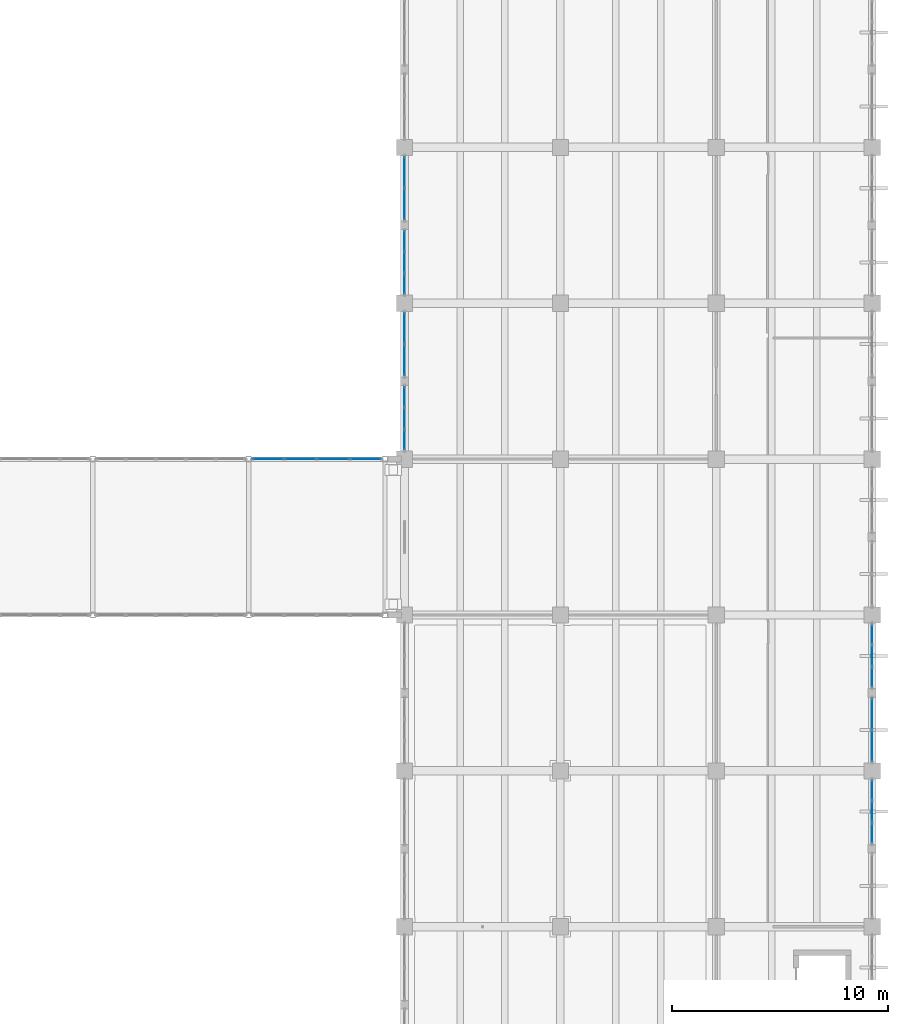
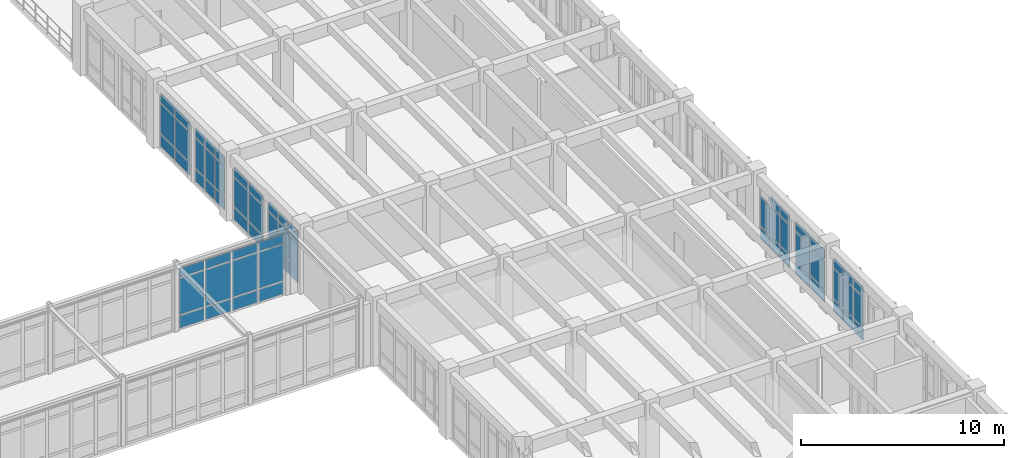
# One storey, part 91 of 136: 65 plates, 8 elements without a shape of their own.
"""IFC4 building model written with IfcOpenShell, lengths in metres."""

from ifc_helpers import new_model, si_unit, direction, frame, origin, origin_2d, place, context, subcontext, project, spatial, rectangle, extrude, material, layer, layer_set, type_object, element, aggregate, save


model = new_model("IFC4")

# Units and contexts
model_context = context("Model", 3, precision=1e-05, world=origin(), true_north=direction((0.0, 1.0)))
body_context = subcontext(model_context, "Body", "Model", "MODEL_VIEW")
ifc_project = project(units=[si_unit("LENGTHUNIT", "METRE"), si_unit("AREAUNIT", "SQUARE_METRE"), si_unit("VOLUMEUNIT", "CUBIC_METRE"), si_unit("PLANEANGLEUNIT", "RADIAN"), si_unit("MASSUNIT", "GRAM", prefix="KILO")], contexts=[model_context])

# Site, building, storey
site_placement = place(None, origin())
site = spatial("IfcSite", under=ifc_project, at=site_placement, CompositionType="ELEMENT")
building_placement = place(site_placement, origin())
building = spatial("IfcBuilding", under=site, at=building_placement, Name="Koriwan Promenade Central Fire Station", CompositionType="ELEMENT")
storey_placement = place(building_placement, frame((0.0, 0.0, 5.39990234375)))
storey = spatial("IfcBuildingStorey", under=building, at=storey_placement, Name="L01", CompositionType="ELEMENT", Elevation=5.39990234375)

# Curtain wall, plates
ifc_material_1 = material(Name="Aluminium EN AW-6063-T6 and low-E glazing", Category="aluminium")
ifc_layer_1 = layer(ifc_material_1, 0.159912109375, Name="Aluminium EN AW-6063-T6 and low-E glazing")
ifc_layer_set_1 = layer_set([ifc_layer_1], Name="Aluminium EN AW-6063-T6 and low-E glazing")
curtain_wall_type_1 = type_object("IfcCurtainWallType", Name="CurtainWall_62_302x329", PredefinedType="USERDEFINED", material=ifc_layer_set_1)
curtain_wall_1_placement = place(storey_placement, origin())
curtain_wall_1 = element("IfcCurtainWall", 1, at=curtain_wall_1_placement, inside=storey, type_object=curtain_wall_type_1, Name="V5 L01 unitised curtain wall 183", ObjectType="UNITISED CURTAIN WALL", PredefinedType="USERDEFINED")
ifc_material_2 = material(Name="Solar-control low-E acoustic glazing", Category="glass")
ifc_layer_2 = layer(ifc_material_2, 0.031982421875, Name="Solar-control low-E acoustic glazing")
ifc_layer_set_2 = layer_set([ifc_layer_2], Name="Solar-control low-E acoustic glazing")
plate_type = type_object("IfcPlateType", Name="CWPanel_32", PredefinedType="CURTAIN_PANEL", material=ifc_layer_set_2)
plate_1_placement = place(storey_placement, frame((151.199951171875, 51.2978515625, 0.0751953125), z_axis=(0.0, 0.0, 1.0), x_axis=(0.0, 1.0, 0.0)))
plate_1 = element("IfcPlate", 2, at=plate_1_placement, type_object=plate_type, Name="CW-62 panel 1.1", PredefinedType="CURTAIN_PANEL", context=body_context, shape_type="SweptSolid", body=[
    extrude(rectangle(XDim=0.895751953125, YDim=0.031982421875, at=origin_2d()), origin(), (0.0, 0.0, 1.0), 0.737548828125),
])
plate_2_placement = place(storey_placement, frame((151.199951171875, 51.2978515625, 0.8876953125), z_axis=(0.0, 0.0, 1.0), x_axis=(0.0, 1.0, 0.0)))
plate_2 = element("IfcPlate", 3, at=plate_2_placement, type_object=plate_type, Name="CW-62 panel 1.2", PredefinedType="CURTAIN_PANEL", context=body_context, shape_type="SweptSolid", body=[
    extrude(rectangle(XDim=0.895751953125, YDim=0.031982421875, at=origin_2d()), origin(), (0.0, 0.0, 1.0), 1.715087890625),
])
plate_3_placement = place(storey_placement, frame((151.199951171875, 51.2978515625, 2.677490234375), z_axis=(0.0, 0.0, 1.0), x_axis=(0.0, 1.0, 0.0)))
plate_3 = element("IfcPlate", 4, at=plate_3_placement, type_object=plate_type, Name="CW-62 panel 1.3", PredefinedType="CURTAIN_PANEL", context=body_context, shape_type="SweptSolid", body=[
    extrude(rectangle(XDim=0.895751953125, YDim=0.031982421875, at=origin_2d()), origin(), (0.0, 0.0, 1.0), 0.53759765625),
])
plate_4_placement = place(storey_placement, frame((151.199951171875, 52.28759765625, 0.0751953125), z_axis=(0.0, 0.0, 1.0), x_axis=(0.0, 1.0, 0.0)))
plate_4 = element("IfcPlate", 5, at=plate_4_placement, type_object=plate_type, Name="CW-62 panel 2.1", PredefinedType="CURTAIN_PANEL", context=body_context, shape_type="SweptSolid", body=[
    extrude(rectangle(XDim=0.933349609375, YDim=0.031982421875, at=origin_2d()), origin(), (0.0, 0.0, 1.0), 0.737548828125),
])
plate_5_placement = place(storey_placement, frame((151.199951171875, 52.28759765625, 0.8876953125), z_axis=(0.0, 0.0, 1.0), x_axis=(0.0, 1.0, 0.0)))
plate_5 = element("IfcPlate", 6, at=plate_5_placement, type_object=plate_type, Name="CW-62 panel 2.2", PredefinedType="CURTAIN_PANEL", context=body_context, shape_type="SweptSolid", body=[
    extrude(rectangle(XDim=0.933349609375, YDim=0.031982421875, at=origin_2d()), origin(), (0.0, 0.0, 1.0), 1.715087890625),
])
plate_6_placement = place(storey_placement, frame((151.199951171875, 52.28759765625, 2.677490234375), z_axis=(0.0, 0.0, 1.0), x_axis=(0.0, 1.0, 0.0)))
plate_6 = element("IfcPlate", 7, at=plate_6_placement, type_object=plate_type, Name="CW-62 panel 2.3", PredefinedType="CURTAIN_PANEL", context=body_context, shape_type="SweptSolid", body=[
    extrude(rectangle(XDim=0.933349609375, YDim=0.031982421875, at=origin_2d()), origin(), (0.0, 0.0, 1.0), 0.53759765625),
])
plate_7_placement = place(storey_placement, frame((151.199951171875, 53.277099609375, 0.0751953125), z_axis=(0.0, 0.0, 1.0), x_axis=(0.0, 1.0, 0.0)))
plate_7 = element("IfcPlate", 8, at=plate_7_placement, type_object=plate_type, Name="CW-62 panel 3.1", PredefinedType="CURTAIN_PANEL", context=body_context, shape_type="SweptSolid", body=[
    extrude(rectangle(XDim=0.895751953125, YDim=0.031982421875, at=origin_2d()), origin(), (0.0, 0.0, 1.0), 0.737548828125),
])
plate_8_placement = place(storey_placement, frame((151.199951171875, 53.277099609375, 0.8876953125), z_axis=(0.0, 0.0, 1.0), x_axis=(0.0, 1.0, 0.0)))
plate_8 = element("IfcPlate", 9, at=plate_8_placement, type_object=plate_type, Name="CW-62 panel 3.2", PredefinedType="CURTAIN_PANEL", context=body_context, shape_type="SweptSolid", body=[
    extrude(rectangle(XDim=0.895751953125, YDim=0.031982421875, at=origin_2d()), origin(), (0.0, 0.0, 1.0), 1.715087890625),
])
plate_9_placement = place(storey_placement, frame((151.199951171875, 53.277099609375, 2.677490234375), z_axis=(0.0, 0.0, 1.0), x_axis=(0.0, 1.0, 0.0)))
plate_9 = element("IfcPlate", 10, at=plate_9_placement, type_object=plate_type, Name="CW-62 panel 3.3", PredefinedType="CURTAIN_PANEL", context=body_context, shape_type="SweptSolid", body=[
    extrude(rectangle(XDim=0.895751953125, YDim=0.031982421875, at=origin_2d()), origin(), (0.0, 0.0, 1.0), 0.53759765625),
])
aggregate(curtain_wall_1, [plate_1, plate_2, plate_3, plate_4, plate_5, plate_6, plate_7, plate_8, plate_9])

ifc_layer_3 = layer(ifc_material_1, 0.159912109375, Name="Aluminium EN AW-6063-T6 and low-E glazing")
ifc_layer_set_3 = layer_set([ifc_layer_3], Name="Aluminium EN AW-6063-T6 and low-E glazing")
curtain_wall_type_2 = type_object("IfcCurtainWallType", Name="CurtainWall_07_302x329", PredefinedType="USERDEFINED", material=ifc_layer_set_3)
curtain_wall_2_placement = place(storey_placement, origin())
curtain_wall_2 = element("IfcCurtainWall", 11, at=curtain_wall_2_placement, inside=storey, type_object=curtain_wall_type_2, Name="V5 L01 unitised curtain wall 184", ObjectType="UNITISED CURTAIN WALL", PredefinedType="USERDEFINED")
plate_10_placement = place(storey_placement, frame((151.199951171875, 54.97509765625, 0.0751953125), z_axis=(0.0, 0.0, 1.0), x_axis=(0.0, 1.0, 0.0)))
plate_10 = element("IfcPlate", 12, at=plate_10_placement, type_object=plate_type, Name="CW-07 panel 1.1", PredefinedType="CURTAIN_PANEL", context=body_context, shape_type="SweptSolid", body=[
    extrude(rectangle(XDim=1.39990234375, YDim=0.031982421875, at=origin_2d()), origin(), (0.0, 0.0, 1.0), 0.737548828125),
])
plate_11_placement = place(storey_placement, frame((151.199951171875, 54.97509765625, 0.8876953125), z_axis=(0.0, 0.0, 1.0), x_axis=(0.0, 1.0, 0.0)))
plate_11 = element("IfcPlate", 13, at=plate_11_placement, type_object=plate_type, Name="CW-07 panel 1.2", PredefinedType="CURTAIN_PANEL", context=body_context, shape_type="SweptSolid", body=[
    extrude(rectangle(XDim=1.39990234375, YDim=0.031982421875, at=origin_2d()), origin(), (0.0, 0.0, 1.0), 1.715087890625),
])
plate_12_placement = place(storey_placement, frame((151.199951171875, 54.97509765625, 2.677490234375), z_axis=(0.0, 0.0, 1.0), x_axis=(0.0, 1.0, 0.0)))
plate_12 = element("IfcPlate", 14, at=plate_12_placement, type_object=plate_type, Name="CW-07 panel 1.3", PredefinedType="CURTAIN_PANEL", context=body_context, shape_type="SweptSolid", body=[
    extrude(rectangle(XDim=1.39990234375, YDim=0.031982421875, at=origin_2d()), origin(), (0.0, 0.0, 1.0), 0.53759765625),
])
plate_13_placement = place(storey_placement, frame((151.199951171875, 56.449951171875, 0.0751953125), z_axis=(0.0, 0.0, 1.0), x_axis=(0.0, 1.0, 0.0)))
plate_13 = element("IfcPlate", 15, at=plate_13_placement, type_object=plate_type, Name="CW-07 panel 2.1", PredefinedType="CURTAIN_PANEL", context=body_context, shape_type="SweptSolid", body=[
    extrude(rectangle(XDim=1.39990234375, YDim=0.031982421875, at=origin_2d()), origin(), (0.0, 0.0, 1.0), 0.737548828125),
])
plate_14_placement = place(storey_placement, frame((151.199951171875, 56.449951171875, 0.8876953125), z_axis=(0.0, 0.0, 1.0), x_axis=(0.0, 1.0, 0.0)))
plate_14 = element("IfcPlate", 16, at=plate_14_placement, type_object=plate_type, Name="CW-07 panel 2.2", PredefinedType="CURTAIN_PANEL", context=body_context, shape_type="SweptSolid", body=[
    extrude(rectangle(XDim=1.39990234375, YDim=0.031982421875, at=origin_2d()), origin(), (0.0, 0.0, 1.0), 1.715087890625),
])
plate_15_placement = place(storey_placement, frame((151.199951171875, 56.449951171875, 2.677490234375), z_axis=(0.0, 0.0, 1.0), x_axis=(0.0, 1.0, 0.0)))
plate_15 = element("IfcPlate", 17, at=plate_15_placement, type_object=plate_type, Name="CW-07 panel 2.3", PredefinedType="CURTAIN_PANEL", context=body_context, shape_type="SweptSolid", body=[
    extrude(rectangle(XDim=1.39990234375, YDim=0.031982421875, at=origin_2d()), origin(), (0.0, 0.0, 1.0), 0.53759765625),
])
aggregate(curtain_wall_2, [plate_10, plate_11, plate_12, plate_13, plate_14, plate_15])

ifc_layer_4 = layer(ifc_material_1, 0.159912109375, Name="Aluminium EN AW-6063-T6 and low-E glazing")
ifc_layer_set_4 = layer_set([ifc_layer_4], Name="Aluminium EN AW-6063-T6 and low-E glazing")
curtain_wall_type_3 = type_object("IfcCurtainWallType", Name="CurtainWall_69_302x335", PredefinedType="USERDEFINED", material=ifc_layer_set_4)
curtain_wall_3_placement = place(storey_placement, origin())
curtain_wall_3 = element("IfcCurtainWall", 18, at=curtain_wall_3_placement, inside=storey, type_object=curtain_wall_type_3, Name="V5 L01 unitised curtain wall 185", ObjectType="UNITISED CURTAIN WALL", PredefinedType="USERDEFINED")
plate_16_placement = place(storey_placement, frame((151.199951171875, 58.497802734375, 0.0751953125), z_axis=(0.0, 0.0, 1.0), x_axis=(0.0, 1.0, 0.0)))
plate_16 = element("IfcPlate", 19, at=plate_16_placement, type_object=plate_type, Name="CW-69 panel 1.1", PredefinedType="CURTAIN_PANEL", context=body_context, shape_type="SweptSolid", body=[
    extrude(rectangle(XDim=0.895751953125, YDim=0.031982421875, at=origin_2d()), origin(), (0.0, 0.0, 1.0), 0.737548828125),
])
plate_17_placement = place(storey_placement, frame((151.199951171875, 58.497802734375, 0.8876953125), z_axis=(0.0, 0.0, 1.0), x_axis=(0.0, 1.0, 0.0)))
plate_17 = element("IfcPlate", 20, at=plate_17_placement, type_object=plate_type, Name="CW-69 panel 1.2", PredefinedType="CURTAIN_PANEL", context=body_context, shape_type="SweptSolid", body=[
    extrude(rectangle(XDim=0.895751953125, YDim=0.031982421875, at=origin_2d()), origin(), (0.0, 0.0, 1.0), 1.77490234375),
])
plate_18_placement = place(storey_placement, frame((151.199951171875, 58.497802734375, 2.737548828125), z_axis=(0.0, 0.0, 1.0), x_axis=(0.0, 1.0, 0.0)))
plate_18 = element("IfcPlate", 21, at=plate_18_placement, type_object=plate_type, Name="CW-69 panel 1.3", PredefinedType="CURTAIN_PANEL", context=body_context, shape_type="SweptSolid", body=[
    extrude(rectangle(XDim=0.895751953125, YDim=0.031982421875, at=origin_2d()), origin(), (0.0, 0.0, 1.0), 0.53759765625),
])
plate_19_placement = place(storey_placement, frame((151.199951171875, 59.487548828125, 0.0751953125), z_axis=(0.0, 0.0, 1.0), x_axis=(0.0, 1.0, 0.0)))
plate_19 = element("IfcPlate", 22, at=plate_19_placement, type_object=plate_type, Name="CW-69 panel 2.1", PredefinedType="CURTAIN_PANEL", context=body_context, shape_type="SweptSolid", body=[
    extrude(rectangle(XDim=0.933349609375, YDim=0.031982421875, at=origin_2d()), origin(), (0.0, 0.0, 1.0), 0.737548828125),
])
plate_20_placement = place(storey_placement, frame((151.199951171875, 59.487548828125, 0.8876953125), z_axis=(0.0, 0.0, 1.0), x_axis=(0.0, 1.0, 0.0)))
plate_20 = element("IfcPlate", 23, at=plate_20_placement, type_object=plate_type, Name="CW-69 panel 2.2", PredefinedType="CURTAIN_PANEL", context=body_context, shape_type="SweptSolid", body=[
    extrude(rectangle(XDim=0.933349609375, YDim=0.031982421875, at=origin_2d()), origin(), (0.0, 0.0, 1.0), 1.77490234375),
])
plate_21_placement = place(storey_placement, frame((151.199951171875, 59.487548828125, 2.737548828125), z_axis=(0.0, 0.0, 1.0), x_axis=(0.0, 1.0, 0.0)))
plate_21 = element("IfcPlate", 24, at=plate_21_placement, type_object=plate_type, Name="CW-69 panel 2.3", PredefinedType="CURTAIN_PANEL", context=body_context, shape_type="SweptSolid", body=[
    extrude(rectangle(XDim=0.933349609375, YDim=0.031982421875, at=origin_2d()), origin(), (0.0, 0.0, 1.0), 0.53759765625),
])
plate_22_placement = place(storey_placement, frame((151.199951171875, 60.47705078125, 0.0751953125), z_axis=(0.0, 0.0, 1.0), x_axis=(0.0, 1.0, 0.0)))
plate_22 = element("IfcPlate", 25, at=plate_22_placement, type_object=plate_type, Name="CW-69 panel 3.1", PredefinedType="CURTAIN_PANEL", context=body_context, shape_type="SweptSolid", body=[
    extrude(rectangle(XDim=0.895751953125, YDim=0.031982421875, at=origin_2d()), origin(), (0.0, 0.0, 1.0), 0.737548828125),
])
plate_23_placement = place(storey_placement, frame((151.199951171875, 60.47705078125, 0.8876953125), z_axis=(0.0, 0.0, 1.0), x_axis=(0.0, 1.0, 0.0)))
plate_23 = element("IfcPlate", 26, at=plate_23_placement, type_object=plate_type, Name="CW-69 panel 3.2", PredefinedType="CURTAIN_PANEL", context=body_context, shape_type="SweptSolid", body=[
    extrude(rectangle(XDim=0.895751953125, YDim=0.031982421875, at=origin_2d()), origin(), (0.0, 0.0, 1.0), 1.77490234375),
])
plate_24_placement = place(storey_placement, frame((151.199951171875, 60.47705078125, 2.737548828125), z_axis=(0.0, 0.0, 1.0), x_axis=(0.0, 1.0, 0.0)))
plate_24 = element("IfcPlate", 27, at=plate_24_placement, type_object=plate_type, Name="CW-69 panel 3.3", PredefinedType="CURTAIN_PANEL", context=body_context, shape_type="SweptSolid", body=[
    extrude(rectangle(XDim=0.895751953125, YDim=0.031982421875, at=origin_2d()), origin(), (0.0, 0.0, 1.0), 0.53759765625),
])
aggregate(curtain_wall_3, [plate_16, plate_17, plate_18, plate_19, plate_20, plate_21, plate_22, plate_23, plate_24])

ifc_layer_5 = layer(ifc_material_1, 0.159912109375, Name="Aluminium EN AW-6063-T6 and low-E glazing")
ifc_layer_set_5 = layer_set([ifc_layer_5], Name="Aluminium EN AW-6063-T6 and low-E glazing")
curtain_wall_type_4 = type_object("IfcCurtainWallType", Name="CurtainWall_70_302x335", PredefinedType="USERDEFINED", material=ifc_layer_set_5)
curtain_wall_4_placement = place(storey_placement, origin())
curtain_wall_4 = element("IfcCurtainWall", 28, at=curtain_wall_4_placement, inside=storey, type_object=curtain_wall_type_4, Name="V5 L01 unitised curtain wall 186", ObjectType="UNITISED CURTAIN WALL", PredefinedType="USERDEFINED")
plate_25_placement = place(storey_placement, frame((151.199951171875, 62.175048828125, 0.0751953125), z_axis=(0.0, 0.0, 1.0), x_axis=(0.0, 1.0, 0.0)))
plate_25 = element("IfcPlate", 29, at=plate_25_placement, type_object=plate_type, Name="CW-70 panel 1.1", PredefinedType="CURTAIN_PANEL", context=body_context, shape_type="SweptSolid", body=[
    extrude(rectangle(XDim=1.39990234375, YDim=0.031982421875, at=origin_2d()), origin(), (0.0, 0.0, 1.0), 0.737548828125),
])
plate_26_placement = place(storey_placement, frame((151.199951171875, 62.175048828125, 0.8876953125), z_axis=(0.0, 0.0, 1.0), x_axis=(0.0, 1.0, 0.0)))
plate_26 = element("IfcPlate", 30, at=plate_26_placement, type_object=plate_type, Name="CW-70 panel 1.2", PredefinedType="CURTAIN_PANEL", context=body_context, shape_type="SweptSolid", body=[
    extrude(rectangle(XDim=1.39990234375, YDim=0.031982421875, at=origin_2d()), origin(), (0.0, 0.0, 1.0), 1.77490234375),
])
plate_27_placement = place(storey_placement, frame((151.199951171875, 62.175048828125, 2.737548828125), z_axis=(0.0, 0.0, 1.0), x_axis=(0.0, 1.0, 0.0)))
plate_27 = element("IfcPlate", 31, at=plate_27_placement, type_object=plate_type, Name="CW-70 panel 1.3", PredefinedType="CURTAIN_PANEL", context=body_context, shape_type="SweptSolid", body=[
    extrude(rectangle(XDim=1.39990234375, YDim=0.031982421875, at=origin_2d()), origin(), (0.0, 0.0, 1.0), 0.53759765625),
])
plate_28_placement = place(storey_placement, frame((151.199951171875, 63.64990234375, 0.0751953125), z_axis=(0.0, 0.0, 1.0), x_axis=(0.0, 1.0, 0.0)))
plate_28 = element("IfcPlate", 32, at=plate_28_placement, type_object=plate_type, Name="CW-70 panel 2.1", PredefinedType="CURTAIN_PANEL", context=body_context, shape_type="SweptSolid", body=[
    extrude(rectangle(XDim=1.39990234375, YDim=0.031982421875, at=origin_2d()), origin(), (0.0, 0.0, 1.0), 0.737548828125),
])
plate_29_placement = place(storey_placement, frame((151.199951171875, 63.64990234375, 0.8876953125), z_axis=(0.0, 0.0, 1.0), x_axis=(0.0, 1.0, 0.0)))
plate_29 = element("IfcPlate", 33, at=plate_29_placement, type_object=plate_type, Name="CW-70 panel 2.2", PredefinedType="CURTAIN_PANEL", context=body_context, shape_type="SweptSolid", body=[
    extrude(rectangle(XDim=1.39990234375, YDim=0.031982421875, at=origin_2d()), origin(), (0.0, 0.0, 1.0), 1.77490234375),
])
plate_30_placement = place(storey_placement, frame((151.199951171875, 63.64990234375, 2.737548828125), z_axis=(0.0, 0.0, 1.0), x_axis=(0.0, 1.0, 0.0)))
plate_30 = element("IfcPlate", 34, at=plate_30_placement, type_object=plate_type, Name="CW-70 panel 2.3", PredefinedType="CURTAIN_PANEL", context=body_context, shape_type="SweptSolid", body=[
    extrude(rectangle(XDim=1.39990234375, YDim=0.031982421875, at=origin_2d()), origin(), (0.0, 0.0, 1.0), 0.53759765625),
])
aggregate(curtain_wall_4, [plate_25, plate_26, plate_27, plate_28, plate_29, plate_30])

ifc_layer_6 = layer(ifc_material_1, 0.159912109375, Name="Aluminium EN AW-6063-T6 and low-E glazing")
ifc_layer_set_6 = layer_set([ifc_layer_6], Name="Aluminium EN AW-6063-T6 and low-E glazing")
curtain_wall_type_5 = type_object("IfcCurtainWallType", Name="CurtainWall_61_303x329", PredefinedType="USERDEFINED", material=ifc_layer_set_6)
curtain_wall_5_placement = place(storey_placement, origin())
curtain_wall_5 = element("IfcCurtainWall", 35, at=curtain_wall_5_placement, inside=storey, type_object=curtain_wall_type_5, Name="V5 L01 unitised curtain wall 197", ObjectType="UNITISED CURTAIN WALL", PredefinedType="USERDEFINED")
plate_31_placement = place(storey_placement, frame((172.800048828125, 42.302001953125, 0.0751953125), z_axis=(0.0, 0.0, 1.0), x_axis=(0.0, -1.0, 0.0)))
plate_31 = element("IfcPlate", 36, at=plate_31_placement, type_object=plate_type, Name="CW-61 panel 1.1", PredefinedType="CURTAIN_PANEL", context=body_context, shape_type="SweptSolid", body=[
    extrude(rectangle(XDim=0.895751953125, YDim=0.031982421875, at=origin_2d()), origin(), (0.0, 0.0, 1.0), 0.737548828125),
])
plate_32_placement = place(storey_placement, frame((172.800048828125, 42.302001953125, 0.8876953125), z_axis=(0.0, 0.0, 1.0), x_axis=(0.0, -1.0, 0.0)))
plate_32 = element("IfcPlate", 37, at=plate_32_placement, type_object=plate_type, Name="CW-61 panel 1.2", PredefinedType="CURTAIN_PANEL", context=body_context, shape_type="SweptSolid", body=[
    extrude(rectangle(XDim=0.895751953125, YDim=0.031982421875, at=origin_2d()), origin(), (0.0, 0.0, 1.0), 1.715087890625),
])
plate_33_placement = place(storey_placement, frame((172.800048828125, 41.3125, 0.0751953125), z_axis=(0.0, 0.0, 1.0), x_axis=(0.0, -1.0, 0.0)))
plate_33 = element("IfcPlate", 38, at=plate_33_placement, type_object=plate_type, Name="CW-61 panel 2.1", PredefinedType="CURTAIN_PANEL", context=body_context, shape_type="SweptSolid", body=[
    extrude(rectangle(XDim=0.933349609375, YDim=0.031982421875, at=origin_2d()), origin(), (0.0, 0.0, 1.0), 0.737548828125),
])
plate_34_placement = place(storey_placement, frame((172.800048828125, 41.3125, 0.8876953125), z_axis=(0.0, 0.0, 1.0), x_axis=(0.0, -1.0, 0.0)))
plate_34 = element("IfcPlate", 39, at=plate_34_placement, type_object=plate_type, Name="CW-61 panel 2.2", PredefinedType="CURTAIN_PANEL", context=body_context, shape_type="SweptSolid", body=[
    extrude(rectangle(XDim=0.933349609375, YDim=0.031982421875, at=origin_2d()), origin(), (0.0, 0.0, 1.0), 1.715087890625),
])
plate_35_placement = place(storey_placement, frame((172.800048828125, 41.3125, 2.677490234375), z_axis=(0.0, 0.0, 1.0), x_axis=(0.0, -1.0, 0.0)))
plate_35 = element("IfcPlate", 40, at=plate_35_placement, type_object=plate_type, Name="CW-61 panel 2.3", PredefinedType="CURTAIN_PANEL", context=body_context, shape_type="SweptSolid", body=[
    extrude(rectangle(XDim=0.933349609375, YDim=0.031982421875, at=origin_2d()), origin(), (0.0, 0.0, 1.0), 0.53759765625),
])
plate_36_placement = place(storey_placement, frame((172.800048828125, 40.322998046875, 0.0751953125), z_axis=(0.0, 0.0, 1.0), x_axis=(0.0, -1.0, 0.0)))
plate_36 = element("IfcPlate", 41, at=plate_36_placement, type_object=plate_type, Name="CW-61 panel 3.1", PredefinedType="CURTAIN_PANEL", context=body_context, shape_type="SweptSolid", body=[
    extrude(rectangle(XDim=0.895751953125, YDim=0.031982421875, at=origin_2d()), origin(), (0.0, 0.0, 1.0), 0.737548828125),
])
plate_37_placement = place(storey_placement, frame((172.800048828125, 40.322998046875, 0.8876953125), z_axis=(0.0, 0.0, 1.0), x_axis=(0.0, -1.0, 0.0)))
plate_37 = element("IfcPlate", 42, at=plate_37_placement, type_object=plate_type, Name="CW-61 panel 3.2", PredefinedType="CURTAIN_PANEL", context=body_context, shape_type="SweptSolid", body=[
    extrude(rectangle(XDim=0.895751953125, YDim=0.031982421875, at=origin_2d()), origin(), (0.0, 0.0, 1.0), 1.715087890625),
])
plate_38_placement = place(storey_placement, frame((172.800048828125, 40.322998046875, 2.677490234375), z_axis=(0.0, 0.0, 1.0), x_axis=(0.0, -1.0, 0.0)))
plate_38 = element("IfcPlate", 43, at=plate_38_placement, type_object=plate_type, Name="CW-61 panel 3.3", PredefinedType="CURTAIN_PANEL", context=body_context, shape_type="SweptSolid", body=[
    extrude(rectangle(XDim=0.895751953125, YDim=0.031982421875, at=origin_2d()), origin(), (0.0, 0.0, 1.0), 0.53759765625),
])
aggregate(curtain_wall_5, [plate_31, plate_32, plate_33, plate_34, plate_35, plate_36, plate_37, plate_38])

curtain_wall_6_placement = place(storey_placement, origin())
curtain_wall_6 = element("IfcCurtainWall", 44, at=curtain_wall_6_placement, inside=storey, type_object=curtain_wall_type_2, Name="V5 L01 unitised curtain wall 198", ObjectType="UNITISED CURTAIN WALL", PredefinedType="USERDEFINED")
plate_39_placement = place(storey_placement, frame((172.800048828125, 38.625, 0.0751953125), z_axis=(0.0, 0.0, 1.0), x_axis=(0.0, -1.0, 0.0)))
plate_39 = element("IfcPlate", 45, at=plate_39_placement, type_object=plate_type, Name="CW-07 panel 1.1", PredefinedType="CURTAIN_PANEL", context=body_context, shape_type="SweptSolid", body=[
    extrude(rectangle(XDim=1.39990234375, YDim=0.031982421875, at=origin_2d()), origin(), (0.0, 0.0, 1.0), 0.737548828125),
])
plate_40_placement = place(storey_placement, frame((172.800048828125, 38.625, 0.8876953125), z_axis=(0.0, 0.0, 1.0), x_axis=(0.0, -1.0, 0.0)))
plate_40 = element("IfcPlate", 46, at=plate_40_placement, type_object=plate_type, Name="CW-07 panel 1.2", PredefinedType="CURTAIN_PANEL", context=body_context, shape_type="SweptSolid", body=[
    extrude(rectangle(XDim=1.39990234375, YDim=0.031982421875, at=origin_2d()), origin(), (0.0, 0.0, 1.0), 1.715087890625),
])
plate_41_placement = place(storey_placement, frame((172.800048828125, 38.625, 2.677490234375), z_axis=(0.0, 0.0, 1.0), x_axis=(0.0, -1.0, 0.0)))
plate_41 = element("IfcPlate", 47, at=plate_41_placement, type_object=plate_type, Name="CW-07 panel 1.3", PredefinedType="CURTAIN_PANEL", context=body_context, shape_type="SweptSolid", body=[
    extrude(rectangle(XDim=1.39990234375, YDim=0.031982421875, at=origin_2d()), origin(), (0.0, 0.0, 1.0), 0.53759765625),
])
plate_42_placement = place(storey_placement, frame((172.800048828125, 37.14990234375, 0.0751953125), z_axis=(0.0, 0.0, 1.0), x_axis=(0.0, -1.0, 0.0)))
plate_42 = element("IfcPlate", 48, at=plate_42_placement, type_object=plate_type, Name="CW-07 panel 2.1", PredefinedType="CURTAIN_PANEL", context=body_context, shape_type="SweptSolid", body=[
    extrude(rectangle(XDim=1.39990234375, YDim=0.031982421875, at=origin_2d()), origin(), (0.0, 0.0, 1.0), 0.737548828125),
])
plate_43_placement = place(storey_placement, frame((172.800048828125, 37.14990234375, 0.8876953125), z_axis=(0.0, 0.0, 1.0), x_axis=(0.0, -1.0, 0.0)))
plate_43 = element("IfcPlate", 49, at=plate_43_placement, type_object=plate_type, Name="CW-07 panel 2.2", PredefinedType="CURTAIN_PANEL", context=body_context, shape_type="SweptSolid", body=[
    extrude(rectangle(XDim=1.39990234375, YDim=0.031982421875, at=origin_2d()), origin(), (0.0, 0.0, 1.0), 1.715087890625),
])
plate_44_placement = place(storey_placement, frame((172.800048828125, 37.14990234375, 2.677490234375), z_axis=(0.0, 0.0, 1.0), x_axis=(0.0, -1.0, 0.0)))
plate_44 = element("IfcPlate", 50, at=plate_44_placement, type_object=plate_type, Name="CW-07 panel 2.3", PredefinedType="CURTAIN_PANEL", context=body_context, shape_type="SweptSolid", body=[
    extrude(rectangle(XDim=1.39990234375, YDim=0.031982421875, at=origin_2d()), origin(), (0.0, 0.0, 1.0), 0.53759765625),
])
aggregate(curtain_wall_6, [plate_39, plate_40, plate_41, plate_42, plate_43, plate_44])

ifc_layer_7 = layer(ifc_material_1, 0.159912109375, Name="Aluminium EN AW-6063-T6 and low-E glazing")
ifc_layer_set_7 = layer_set([ifc_layer_7], Name="Aluminium EN AW-6063-T6 and low-E glazing")
curtain_wall_type_6 = type_object("IfcCurtainWallType", Name="CurtainWall_63_302x334", PredefinedType="USERDEFINED", material=ifc_layer_set_7)
curtain_wall_7_placement = place(storey_placement, origin())
curtain_wall_7 = element("IfcCurtainWall", 51, at=curtain_wall_7_placement, inside=storey, type_object=curtain_wall_type_6, Name="V5 L01 unitised curtain wall 199", ObjectType="UNITISED CURTAIN WALL", PredefinedType="USERDEFINED")
plate_45_placement = place(storey_placement, frame((172.800048828125, 35.10205078125, 0.0751953125), z_axis=(0.0, 0.0, 1.0), x_axis=(0.0, -1.0, 0.0)))
plate_45 = element("IfcPlate", 52, at=plate_45_placement, type_object=plate_type, Name="CW-63 panel 1.1", PredefinedType="CURTAIN_PANEL", context=body_context, shape_type="SweptSolid", body=[
    extrude(rectangle(XDim=0.895751953125, YDim=0.031982421875, at=origin_2d()), origin(), (0.0, 0.0, 1.0), 0.737548828125),
])
plate_46_placement = place(storey_placement, frame((172.800048828125, 35.10205078125, 0.8876953125), z_axis=(0.0, 0.0, 1.0), x_axis=(0.0, -1.0, 0.0)))
plate_46 = element("IfcPlate", 53, at=plate_46_placement, type_object=plate_type, Name="CW-63 panel 1.2", PredefinedType="CURTAIN_PANEL", context=body_context, shape_type="SweptSolid", body=[
    extrude(rectangle(XDim=0.895751953125, YDim=0.031982421875, at=origin_2d()), origin(), (0.0, 0.0, 1.0), 1.764892578125),
])
plate_47_placement = place(storey_placement, frame((172.800048828125, 35.10205078125, 2.7275390625), z_axis=(0.0, 0.0, 1.0), x_axis=(0.0, -1.0, 0.0)))
plate_47 = element("IfcPlate", 54, at=plate_47_placement, type_object=plate_type, Name="CW-63 panel 1.3", PredefinedType="CURTAIN_PANEL", context=body_context, shape_type="SweptSolid", body=[
    extrude(rectangle(XDim=0.895751953125, YDim=0.031982421875, at=origin_2d()), origin(), (0.0, 0.0, 1.0), 0.53759765625),
])
plate_48_placement = place(storey_placement, frame((172.800048828125, 34.112548828125, 0.0751953125), z_axis=(0.0, 0.0, 1.0), x_axis=(0.0, -1.0, 0.0)))
plate_48 = element("IfcPlate", 55, at=plate_48_placement, type_object=plate_type, Name="CW-63 panel 2.1", PredefinedType="CURTAIN_PANEL", context=body_context, shape_type="SweptSolid", body=[
    extrude(rectangle(XDim=0.933349609375, YDim=0.031982421875, at=origin_2d()), origin(), (0.0, 0.0, 1.0), 0.737548828125),
])
plate_49_placement = place(storey_placement, frame((172.800048828125, 34.112548828125, 0.8876953125), z_axis=(0.0, 0.0, 1.0), x_axis=(0.0, -1.0, 0.0)))
plate_49 = element("IfcPlate", 56, at=plate_49_placement, type_object=plate_type, Name="CW-63 panel 2.2", PredefinedType="CURTAIN_PANEL", context=body_context, shape_type="SweptSolid", body=[
    extrude(rectangle(XDim=0.933349609375, YDim=0.031982421875, at=origin_2d()), origin(), (0.0, 0.0, 1.0), 1.764892578125),
])
plate_50_placement = place(storey_placement, frame((172.800048828125, 34.112548828125, 2.7275390625), z_axis=(0.0, 0.0, 1.0), x_axis=(0.0, -1.0, 0.0)))
plate_50 = element("IfcPlate", 57, at=plate_50_placement, type_object=plate_type, Name="CW-63 panel 2.3", PredefinedType="CURTAIN_PANEL", context=body_context, shape_type="SweptSolid", body=[
    extrude(rectangle(XDim=0.933349609375, YDim=0.031982421875, at=origin_2d()), origin(), (0.0, 0.0, 1.0), 0.53759765625),
])
plate_51_placement = place(storey_placement, frame((172.800048828125, 33.122802734375, 0.0751953125), z_axis=(0.0, 0.0, 1.0), x_axis=(0.0, -1.0, 0.0)))
plate_51 = element("IfcPlate", 58, at=plate_51_placement, type_object=plate_type, Name="CW-63 panel 3.1", PredefinedType="CURTAIN_PANEL", context=body_context, shape_type="SweptSolid", body=[
    extrude(rectangle(XDim=0.895751953125, YDim=0.031982421875, at=origin_2d()), origin(), (0.0, 0.0, 1.0), 0.737548828125),
])
plate_52_placement = place(storey_placement, frame((172.800048828125, 33.122802734375, 0.8876953125), z_axis=(0.0, 0.0, 1.0), x_axis=(0.0, -1.0, 0.0)))
plate_52 = element("IfcPlate", 59, at=plate_52_placement, type_object=plate_type, Name="CW-63 panel 3.2", PredefinedType="CURTAIN_PANEL", context=body_context, shape_type="SweptSolid", body=[
    extrude(rectangle(XDim=0.895751953125, YDim=0.031982421875, at=origin_2d()), origin(), (0.0, 0.0, 1.0), 1.764892578125),
])
plate_53_placement = place(storey_placement, frame((172.800048828125, 33.122802734375, 2.7275390625), z_axis=(0.0, 0.0, 1.0), x_axis=(0.0, -1.0, 0.0)))
plate_53 = element("IfcPlate", 60, at=plate_53_placement, type_object=plate_type, Name="CW-63 panel 3.3", PredefinedType="CURTAIN_PANEL", context=body_context, shape_type="SweptSolid", body=[
    extrude(rectangle(XDim=0.895751953125, YDim=0.031982421875, at=origin_2d()), origin(), (0.0, 0.0, 1.0), 0.53759765625),
])
aggregate(curtain_wall_7, [plate_45, plate_46, plate_47, plate_48, plate_49, plate_50, plate_51, plate_52, plate_53])

ifc_layer_8 = layer(ifc_material_1, 0.159912109375, Name="Aluminium EN AW-6063-T6 and low-E glazing")
ifc_layer_set_8 = layer_set([ifc_layer_8], Name="Aluminium EN AW-6063-T6 and low-E glazing")
curtain_wall_type_7 = type_object("IfcCurtainWallType", Name="CurtainWall_97_605x374", PredefinedType="USERDEFINED", material=ifc_layer_set_8)
curtain_wall_8_placement = place(storey_placement, origin())
curtain_wall_8 = element("IfcCurtainWall", 61, at=curtain_wall_8_placement, inside=storey, type_object=curtain_wall_type_7, Name="V5 L01 unitised curtain wall 317", ObjectType="UNITISED CURTAIN WALL", PredefinedType="USERDEFINED")
plate_54_placement = place(storey_placement, frame((144.89990234375, 50.39990234375, 0.0751953125), z_axis=(0.0, 0.0, 1.0), x_axis=(1.0, 0.0, 0.0)))
plate_54 = element("IfcPlate", 62, at=plate_54_placement, type_object=plate_type, Name="CW-97 panel 1.1", PredefinedType="CURTAIN_PANEL", context=body_context, shape_type="SweptSolid", body=[
    extrude(rectangle(XDim=1.39990234375, YDim=0.031982421875, at=origin_2d()), origin(), (0.0, 0.0, 1.0), 0.737548828125),
])
plate_55_placement = place(storey_placement, frame((144.89990234375, 50.39990234375, 0.8876953125), z_axis=(0.0, 0.0, 1.0), x_axis=(1.0, 0.0, 0.0)))
plate_55 = element("IfcPlate", 63, at=plate_55_placement, type_object=plate_type, Name="CW-97 panel 1.2", PredefinedType="CURTAIN_PANEL", context=body_context, shape_type="SweptSolid", body=[
    extrude(rectangle(XDim=1.39990234375, YDim=0.031982421875, at=origin_2d()), origin(), (0.0, 0.0, 1.0), 2.1650390625),
])
plate_56_placement = place(storey_placement, frame((144.89990234375, 50.39990234375, 3.12744140625), z_axis=(0.0, 0.0, 1.0), x_axis=(1.0, 0.0, 0.0)))
plate_56 = element("IfcPlate", 64, at=plate_56_placement, type_object=plate_type, Name="CW-97 panel 1.3", PredefinedType="CURTAIN_PANEL", context=body_context, shape_type="SweptSolid", body=[
    extrude(rectangle(XDim=1.39990234375, YDim=0.031982421875, at=origin_2d()), origin(), (0.0, 0.0, 1.0), 0.53759765625),
])
plate_57_placement = place(storey_placement, frame((146.393798828125, 50.39990234375, 0.0751953125), z_axis=(0.0, 0.0, 1.0), x_axis=(1.0, 0.0, 0.0)))
plate_57 = element("IfcPlate", 65, at=plate_57_placement, type_object=plate_type, Name="CW-97 panel 2.1", PredefinedType="CURTAIN_PANEL", context=body_context, shape_type="SweptSolid", body=[
    extrude(rectangle(XDim=1.4375, YDim=0.031982421875, at=origin_2d()), origin(), (0.0, 0.0, 1.0), 0.737548828125),
])
plate_58_placement = place(storey_placement, frame((146.393798828125, 50.39990234375, 0.8876953125), z_axis=(0.0, 0.0, 1.0), x_axis=(1.0, 0.0, 0.0)))
plate_58 = element("IfcPlate", 66, at=plate_58_placement, type_object=plate_type, Name="CW-97 panel 2.2", PredefinedType="CURTAIN_PANEL", context=body_context, shape_type="SweptSolid", body=[
    extrude(rectangle(XDim=1.4375, YDim=0.031982421875, at=origin_2d()), origin(), (0.0, 0.0, 1.0), 2.1650390625),
])
plate_59_placement = place(storey_placement, frame((146.393798828125, 50.39990234375, 3.12744140625), z_axis=(0.0, 0.0, 1.0), x_axis=(1.0, 0.0, 0.0)))
plate_59 = element("IfcPlate", 67, at=plate_59_placement, type_object=plate_type, Name="CW-97 panel 2.3", PredefinedType="CURTAIN_PANEL", context=body_context, shape_type="SweptSolid", body=[
    extrude(rectangle(XDim=1.4375, YDim=0.031982421875, at=origin_2d()), origin(), (0.0, 0.0, 1.0), 0.53759765625),
])
plate_60_placement = place(storey_placement, frame((147.90625, 50.39990234375, 0.0751953125), z_axis=(0.0, 0.0, 1.0), x_axis=(1.0, 0.0, 0.0)))
plate_60 = element("IfcPlate", 68, at=plate_60_placement, type_object=plate_type, Name="CW-97 panel 3.1", PredefinedType="CURTAIN_PANEL", context=body_context, shape_type="SweptSolid", body=[
    extrude(rectangle(XDim=1.4375, YDim=0.031982421875, at=origin_2d()), origin(), (0.0, 0.0, 1.0), 0.737548828125),
])
plate_61_placement = place(storey_placement, frame((147.90625, 50.39990234375, 0.8876953125), z_axis=(0.0, 0.0, 1.0), x_axis=(1.0, 0.0, 0.0)))
plate_61 = element("IfcPlate", 69, at=plate_61_placement, type_object=plate_type, Name="CW-97 panel 3.2", PredefinedType="CURTAIN_PANEL", context=body_context, shape_type="SweptSolid", body=[
    extrude(rectangle(XDim=1.4375, YDim=0.031982421875, at=origin_2d()), origin(), (0.0, 0.0, 1.0), 2.1650390625),
])
plate_62_placement = place(storey_placement, frame((147.90625, 50.39990234375, 3.12744140625), z_axis=(0.0, 0.0, 1.0), x_axis=(1.0, 0.0, 0.0)))
plate_62 = element("IfcPlate", 70, at=plate_62_placement, type_object=plate_type, Name="CW-97 panel 3.3", PredefinedType="CURTAIN_PANEL", context=body_context, shape_type="SweptSolid", body=[
    extrude(rectangle(XDim=1.4375, YDim=0.031982421875, at=origin_2d()), origin(), (0.0, 0.0, 1.0), 0.53759765625),
])
plate_63_placement = place(storey_placement, frame((149.39990234375, 50.39990234375, 0.0751953125), z_axis=(0.0, 0.0, 1.0), x_axis=(1.0, 0.0, 0.0)))
plate_63 = element("IfcPlate", 71, at=plate_63_placement, type_object=plate_type, Name="CW-97 panel 4.1", PredefinedType="CURTAIN_PANEL", context=body_context, shape_type="SweptSolid", body=[
    extrude(rectangle(XDim=1.39990234375, YDim=0.031982421875, at=origin_2d()), origin(), (0.0, 0.0, 1.0), 0.737548828125),
])
plate_64_placement = place(storey_placement, frame((149.39990234375, 50.39990234375, 0.8876953125), z_axis=(0.0, 0.0, 1.0), x_axis=(1.0, 0.0, 0.0)))
plate_64 = element("IfcPlate", 72, at=plate_64_placement, type_object=plate_type, Name="CW-97 panel 4.2", PredefinedType="CURTAIN_PANEL", context=body_context, shape_type="SweptSolid", body=[
    extrude(rectangle(XDim=1.39990234375, YDim=0.031982421875, at=origin_2d()), origin(), (0.0, 0.0, 1.0), 2.1650390625),
])
plate_65_placement = place(storey_placement, frame((149.39990234375, 50.39990234375, 3.12744140625), z_axis=(0.0, 0.0, 1.0), x_axis=(1.0, 0.0, 0.0)))
plate_65 = element("IfcPlate", 73, at=plate_65_placement, type_object=plate_type, Name="CW-97 panel 4.3", PredefinedType="CURTAIN_PANEL", context=body_context, shape_type="SweptSolid", body=[
    extrude(rectangle(XDim=1.39990234375, YDim=0.031982421875, at=origin_2d()), origin(), (0.0, 0.0, 1.0), 0.53759765625),
])
aggregate(curtain_wall_8, [plate_54, plate_55, plate_56, plate_57, plate_58, plate_59, plate_60, plate_61, plate_62, plate_63, plate_64, plate_65])

save(model, "model.ifc")
